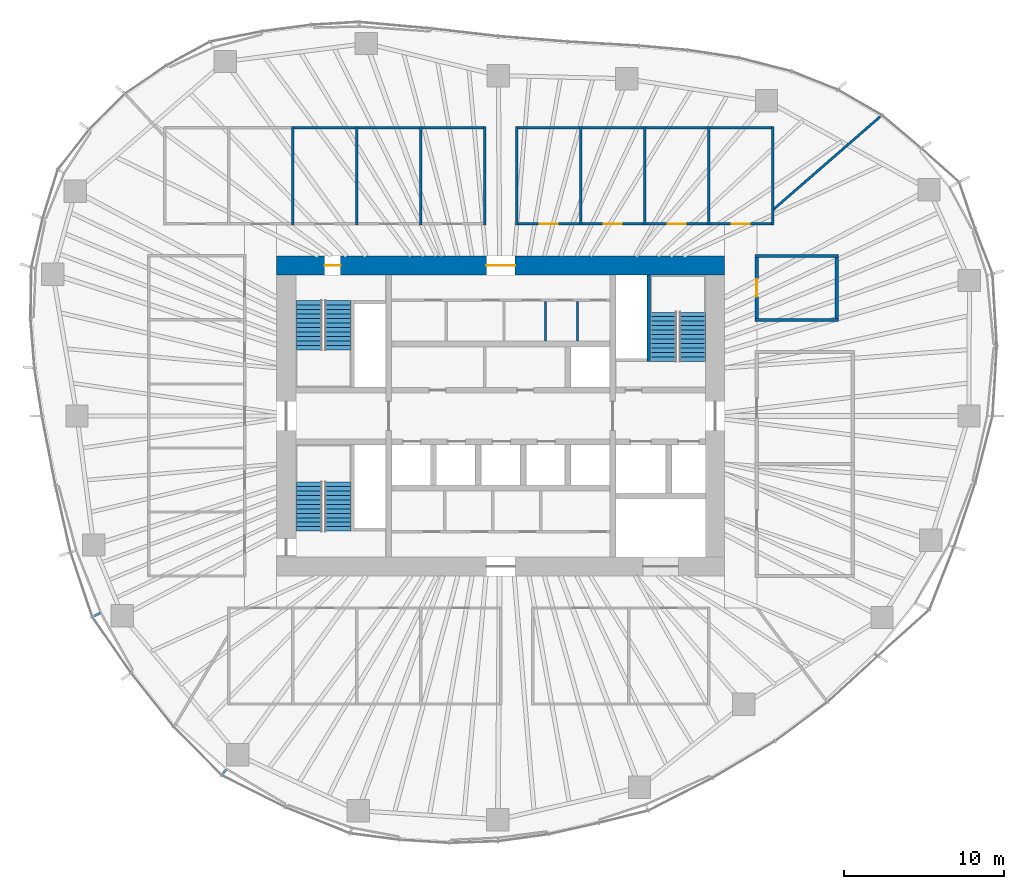
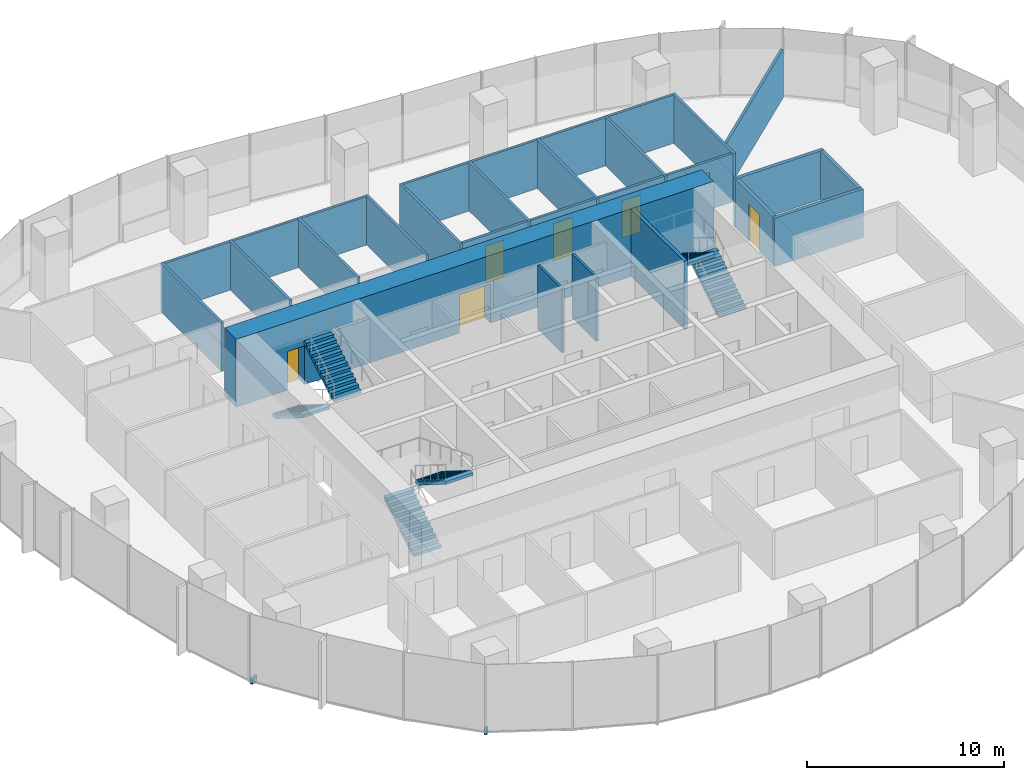
# One storey, part 11 of 18: 29 walls, 7 doors, 6 stair flights, 2 discrete accessories, 7 openings, 3 elements without a shape of their own.
"""IFC4 building model written with IfcOpenShell, lengths in metres."""

from ifc_helpers import new_model, si_unit, direction, frame, frame_2d, origin, origin_2d, place, context, subcontext, project, spatial, polyline, rectangle, outline, extrude, material, layer, layer_set, type_object, element, fill, aggregate, save


model = new_model("IFC4")

# Units and contexts
model_context = context("Model", 3, precision=1e-05, world=origin(), true_north=direction((0.0, 1.0)))
body_context = subcontext(model_context, "Body", "Model", "MODEL_VIEW")
ifc_project = project(units=[si_unit("LENGTHUNIT", "METRE"), si_unit("AREAUNIT", "SQUARE_METRE"), si_unit("VOLUMEUNIT", "CUBIC_METRE"), si_unit("PLANEANGLEUNIT", "RADIAN"), si_unit("MASSUNIT", "GRAM", prefix="KILO")], contexts=[model_context])

# Site, building, storey
site_placement = place(None, origin())
site = spatial("IfcSite", under=ifc_project, at=site_placement, CompositionType="ELEMENT")
building_placement = place(site_placement, origin())
building = spatial("IfcBuilding", under=site, at=building_placement, Name="Ghaith Harvest Tower", CompositionType="ELEMENT")
storey_placement = place(building_placement, frame((0.0, 0.0, 172.199951171875)))
storey = spatial("IfcBuildingStorey", under=building, at=storey_placement, Name="L37", CompositionType="ELEMENT", Elevation=172.199951171875)

# Walls
ifc_material_1 = material(Name="Twin-stud gypsum board, acoustic", Category="gypsum")
ifc_layer_1 = layer(ifc_material_1, 0.199951171875)
ifc_layer_set_1 = layer_set([ifc_layer_1], Name="ACOUSTIC PARTITION 200")
wall_type_1 = type_object("IfcWallType", Name="ACOUSTIC PARTITION 200", PredefinedType="PARTITIONING", material=ifc_layer_set_1)
for number, where, z_axis, x_axis, name in (
    (1, (15.89990234375, 6.0, 0.0), (0.0, 0.0, 1.0), (1.0, 0.0, 0.0), "Partition L37 row E7 cross wall 1"),
    (2, (15.89990234375, 10.0, 0.0), (0.0, 0.0, 1.0), (1.0, 0.0, 0.0), "Partition L37 row E7 cross wall 2"),
):
    element("IfcWall", number, at=place(storey_placement, frame(where, z_axis=z_axis, x_axis=x_axis)), inside=storey, type_object=wall_type_1, Name=name, PredefinedType="PARTITIONING", context=body_context, shape_type="SweptSolid", body=[
        extrude(rectangle(XDim=5.2001953125, YDim=0.199951171875, at=frame_2d((2.60009765625, 0.0))), origin(), (0.0, 0.0, 1.0), 3.0),
    ])

# Wall, opening, door
wall_1_placement = place(storey_placement, frame((16.0, 6.10009765625, 0.0), z_axis=(0.0, 0.0, 1.0), x_axis=(0.0, 1.0, 0.0)))
wall_1 = element("IfcWall", 3, at=wall_1_placement, inside=storey, type_object=wall_type_1, Name="Partition L37-23", PredefinedType="PARTITIONING", context=body_context, shape_type="SweptSolid", body=[
    extrude(rectangle(XDim=3.7998046875, YDim=0.199951171875, at=frame_2d((1.89990234375, 0.0))), origin(), (0.0, 0.0, 1.0), 3.0),
])
opening_1_placement = place(wall_1_placement, frame((1.35009765625, 0.0, 0.0)))
opening_1 = element("IfcOpeningElement", 4, at=opening_1_placement, cuts=wall_1, Name="Opening 37-050", PredefinedType="OPENING", context=body_context, shape_type="SweptSolid", body=[
    extrude(rectangle(XDim=1.10009765625, YDim=2.300048828125, at=frame_2d((0.550048828125, 1.14990234375))), frame((0.0, 0.10986328125, 0.0), z_axis=(0.0, -1.0, 0.0), x_axis=(1.0, 0.0, 0.0)), (0.0, 0.0, 1.0), 0.219970703125),
])
ifc_material_2 = material(Name="Timber-framed glazed door", Category="wood")
door_type_1 = type_object("IfcDoorType", Name="D12 GLAZED OFFICE 1100x2300", OperationType="SINGLE_SWING_LEFT", PredefinedType="DOOR", material=ifc_material_2)
door_1_placement = place(opening_1_placement, origin())
door_1 = element("IfcDoor", 5, at=door_1_placement, inside=storey, type_object=door_type_1, Name="Quiet room door", OperationType="SINGLE_SWING_LEFT", OverallHeight=2.300048828125, OverallWidth=1.10009765625, PredefinedType="DOOR", context=body_context, shape_type="SweptSolid", body=[
    extrude(rectangle(XDim=1.10009765625, YDim=2.300048828125, at=frame_2d((0.550048828125, 1.14990234375))), frame((0.0, 0.02490234375, 0.0), z_axis=(0.0, -1.0, 0.0), x_axis=(1.0, 0.0, 0.0)), (0.0, 0.0, 1.0), 0.050048828125),
])
fill(opening_1, door_1)

# Walls
wall_2_placement = place(storey_placement, frame((21.0, 6.10009765625, 0.0), z_axis=(0.0, 0.0, 1.0), x_axis=(0.0, 1.0, 0.0)))
element("IfcWall", 6, at=wall_2_placement, inside=storey, type_object=wall_type_1, Name="Partition L37-23", PredefinedType="PARTITIONING", context=body_context, shape_type="SweptSolid", body=[
    extrude(rectangle(XDim=3.7998046875, YDim=0.199951171875, at=frame_2d((1.89990234375, 0.0))), origin(), (0.0, 0.0, 1.0), 3.0),
])
ifc_material_3 = material(Name="Concrete blockwork, fair-faced", Category="masonry")
ifc_layer_2 = layer(ifc_material_3, 0.139892578125)
ifc_layer_set_2 = layer_set([ifc_layer_2], Name="CORE PARTITION 140")
wall_type_2 = type_object("IfcWallType", Name="CORE PARTITION 140", PredefinedType="PARTITIONING", material=ifc_layer_set_2)
for number, where, z_axis, x_axis, name in (
    (7, (2.800048828125, 4.699951171875, 0.0), (0.0, 0.0, 1.0), (0.0, 1.0, 0.0), "Core partition L37"),
    (8, (4.800048828125, 4.699951171875, 0.0), (0.0, 0.0, 1.0), (0.0, 1.0, 0.0), "Core partition L37"),
):
    element("IfcWall", number, at=place(storey_placement, frame(where, z_axis=z_axis, x_axis=x_axis)), inside=storey, type_object=wall_type_2, Name=name, PredefinedType="PARTITIONING", context=body_context, shape_type="SweptSolid", body=[
        extrude(rectangle(XDim=2.4599609375, YDim=0.139892578125, at=frame_2d((1.22998046875, 0.0))), origin(), (0.0, 0.0, 1.0), 3.949951171875),
    ])

# Wall, openings, doors
ifc_material_4 = material(Name="Concrete C60/75", Category="concrete")
ifc_layer_3 = layer(ifc_material_4, 1.199951171875)
ifc_layer_set_3 = layer_set([ifc_layer_3], Name="CORE WALL CW1200 C60")
wall_type_3 = type_object("IfcWallType", Name="CORE WALL CW1200 C60", PredefinedType="SHEAR", material=ifc_layer_set_3)
wall_3_placement = place(storey_placement, frame((14.0, 9.39990234375, 0.0), z_axis=(0.0, 0.0, 1.0), x_axis=(-1.0, 0.0, 0.0)))
wall_3 = element("IfcWall", 9, at=wall_3_placement, inside=storey, type_object=wall_type_3, Name="Core wall N L37", PredefinedType="SHEAR", context=body_context, shape_type="SweptSolid", body=[
    extrude(rectangle(XDim=28.0, YDim=1.199951171875, at=frame_2d((14.0, 0.0))), origin(), (0.0, 0.0, 1.0), 4.199951171875),
])
opening_2_placement = place(wall_3_placement, frame((24.0, 0.0, 0.0)))
opening_2 = element("IfcOpeningElement", 10, at=opening_2_placement, cuts=wall_3, Name="Opening 37-005", PredefinedType="OPENING", context=body_context, shape_type="SweptSolid", body=[
    extrude(rectangle(XDim=1.0, YDim=2.39990234375, at=frame_2d((0.5, 1.199951171875))), frame((0.0, 0.60986328125, 0.0), z_axis=(0.0, -1.0, 0.0), x_axis=(1.0, 0.0, 0.0)), (0.0, 0.0, 1.0), 1.219970703125),
])
opening_3_placement = place(wall_3_placement, frame((13.10009765625, 0.0, 0.0)))
opening_3 = element("IfcOpeningElement", 11, at=opening_3_placement, cuts=wall_3, Name="Opening 37-019", PredefinedType="OPENING", context=body_context, shape_type="SweptSolid", body=[
    extrude(rectangle(XDim=1.800048828125, YDim=2.39990234375, at=frame_2d((0.89990234375, 1.199951171875))), frame((0.0, 0.60986328125, 0.0), z_axis=(0.0, -1.0, 0.0), x_axis=(1.0, 0.0, 0.0)), (0.0, 0.0, 1.0), 1.219970703125),
])
ifc_material_5 = material(Name="Steel fire door", Category="steel")
door_type_2 = type_object("IfcDoorType", Name="D3 FD90 1000x2400", OperationType="SINGLE_SWING_LEFT", PredefinedType="DOOR", material=ifc_material_5)
door_2_placement = place(opening_2_placement, origin())
door_2 = element("IfcDoor", 12, at=door_2_placement, inside=storey, type_object=door_type_2, Name="Stair ST1 door", OperationType="SINGLE_SWING_RIGHT", OverallHeight=2.39990234375, OverallWidth=1.0, PredefinedType="DOOR", context=body_context, shape_type="SweptSolid", body=[
    extrude(rectangle(XDim=1.0, YDim=2.39990234375, at=frame_2d((0.5, 1.199951171875))), frame((0.0, 0.02490234375, 0.0), z_axis=(0.0, -1.0, 0.0), x_axis=(1.0, 0.0, 0.0)), (0.0, 0.0, 1.0), 0.050048828125),
])
fill(opening_2, door_2)
ifc_material_6 = material(Name="Steel fire door", Category="steel")
door_type_3 = type_object("IfcDoorType", Name="D4 FD90 PAIR 1800x2400", OperationType="DOUBLE_DOOR_SINGLE_SWING", PredefinedType="DOOR", material=ifc_material_6)
door_3_placement = place(opening_3_placement, origin())
door_3 = element("IfcDoor", 13, at=door_3_placement, inside=storey, type_object=door_type_3, Name="Core service corridor doors", OperationType="DOUBLE_DOOR_SINGLE_SWING", OverallHeight=2.39990234375, OverallWidth=1.800048828125, PredefinedType="DOOR", context=body_context, shape_type="SweptSolid", body=[
    extrude(rectangle(XDim=1.800048828125, YDim=2.39990234375, at=frame_2d((0.89990234375, 1.199951171875))), frame((0.0, 0.02490234375, 0.0), z_axis=(0.0, -1.0, 0.0), x_axis=(1.0, 0.0, 0.0)), (0.0, 0.0, 1.0), 0.050048828125),
])
fill(opening_3, door_3)

# Walls
ifc_material_7 = material(Name="Gypsum board on steel studs", Category="steel")
ifc_layer_4 = layer(ifc_material_7, 0.14990234375)
ifc_layer_set_4 = layer_set([ifc_layer_4], Name="PARTITION 150")
wall_type_4 = type_object("IfcWallType", Name="PARTITION 150", PredefinedType="PARTITIONING", material=ifc_layer_set_4)
for number, where, z_axis, x_axis, name in (
    (14, (-13.0, 11.925048828125, 0.0), (0.0, 0.0, 1.0), (0.0, 1.0, 0.0), "Partition L37 row N1 cross wall 3"),
    (15, (-9.0, 11.925048828125, 0.0), (0.0, 0.0, 1.0), (0.0, 1.0, 0.0), "Partition L37 row N1 cross wall 4"),
    (16, (-5.0, 11.925048828125, 0.0), (0.0, 0.0, 1.0), (0.0, 1.0, 0.0), "Partition L37 row N1 cross wall 5"),
    (17, (-1.0, 11.925048828125, 0.0), (0.0, 0.0, 1.0), (0.0, 1.0, 0.0), "Partition L37 row N1 cross wall 6"),
):
    element("IfcWall", number, at=place(storey_placement, frame(where, z_axis=z_axis, x_axis=x_axis)), inside=storey, type_object=wall_type_4, Name=name, PredefinedType="PARTITIONING", context=body_context, shape_type="SweptSolid", body=[
        extrude(rectangle(XDim=6.14990234375, YDim=0.14990234375, at=frame_2d((3.074951171875, 0.0))), origin(), (0.0, 0.0, 1.0), 3.0),
    ])
for number, where, z_axis, x_axis, name in (
    (18, (-12.925048828125, 18.0, 0.0), (0.0, 0.0, 1.0), (1.0, 0.0, 0.0), "Partition L37-03"),
    (19, (-8.925048828125, 18.0, 0.0), (0.0, 0.0, 1.0), (1.0, 0.0, 0.0), "Partition L37-04"),
    (20, (-4.925048828125, 18.0, 0.0), (0.0, 0.0, 1.0), (1.0, 0.0, 0.0), "Partition L37-05"),
):
    element("IfcWall", number, at=place(storey_placement, frame(where, z_axis=z_axis, x_axis=x_axis)), inside=storey, type_object=wall_type_4, Name=name, PredefinedType="PARTITIONING", context=body_context, shape_type="SweptSolid", body=[
        extrude(rectangle(XDim=3.85009765625, YDim=0.14990234375, at=frame_2d((1.925048828125, 0.0))), origin(), (0.0, 0.0, 1.0), 3.0),
    ])
for number, where, z_axis, x_axis, name in (
    (21, (1.0, 11.925048828125, 0.0), (0.0, 0.0, 1.0), (0.0, 1.0, 0.0), "Partition L37 row N2 cross wall 1"),
    (22, (5.0, 11.925048828125, 0.0), (0.0, 0.0, 1.0), (0.0, 1.0, 0.0), "Partition L37 row N2 cross wall 2"),
    (23, (9.0, 11.925048828125, 0.0), (0.0, 0.0, 1.0), (0.0, 1.0, 0.0), "Partition L37 row N2 cross wall 3"),
    (24, (13.0, 11.925048828125, 0.0), (0.0, 0.0, 1.0), (0.0, 1.0, 0.0), "Partition L37 row N2 cross wall 4"),
    (25, (17.0, 11.925048828125, 0.0), (0.0, 0.0, 1.0), (0.0, 1.0, 0.0), "Partition L37 row N2 cross wall 5"),
):
    element("IfcWall", number, at=place(storey_placement, frame(where, z_axis=z_axis, x_axis=x_axis)), inside=storey, type_object=wall_type_4, Name=name, PredefinedType="PARTITIONING", context=body_context, shape_type="SweptSolid", body=[
        extrude(rectangle(XDim=6.14990234375, YDim=0.14990234375, at=frame_2d((3.074951171875, 0.0))), origin(), (0.0, 0.0, 1.0), 3.0),
    ])

# Wall, opening, door
wall_4_placement = place(storey_placement, frame((1.074951171875, 12.0, 0.0), z_axis=(0.0, 0.0, 1.0), x_axis=(1.0, 0.0, 0.0)))
wall_4 = element("IfcWall", 26, at=wall_4_placement, inside=storey, type_object=wall_type_4, Name="Partition L37-06", PredefinedType="PARTITIONING", context=body_context, shape_type="SweptSolid", body=[
    extrude(rectangle(XDim=3.85009765625, YDim=0.14990234375, at=frame_2d((1.925048828125, 0.0))), origin(), (0.0, 0.0, 1.0), 3.0),
])
opening_4_placement = place(wall_4_placement, frame((1.375, 0.0, 0.0)))
opening_4 = element("IfcOpeningElement", 27, at=opening_4_placement, cuts=wall_4, Name="Opening 37-033", PredefinedType="OPENING", context=body_context, shape_type="SweptSolid", body=[
    extrude(rectangle(XDim=1.10009765625, YDim=2.300048828125, at=frame_2d((0.550048828125, 1.14990234375))), frame((0.0, 0.0849609375, 0.0), z_axis=(0.0, -1.0, 0.0), x_axis=(1.0, 0.0, 0.0)), (0.0, 0.0, 1.0), 0.169921875),
])
door_4_placement = place(opening_4_placement, origin())
door_4 = element("IfcDoor", 28, at=door_4_placement, inside=storey, type_object=door_type_1, Name="Office door", OperationType="SINGLE_SWING_LEFT", OverallHeight=2.300048828125, OverallWidth=1.10009765625, PredefinedType="DOOR", context=body_context, shape_type="SweptSolid", body=[
    extrude(rectangle(XDim=1.10009765625, YDim=2.300048828125, at=frame_2d((0.550048828125, 1.14990234375))), frame((0.0, 0.02490234375, 0.0), z_axis=(0.0, -1.0, 0.0), x_axis=(1.0, 0.0, 0.0)), (0.0, 0.0, 1.0), 0.050048828125),
])
fill(opening_4, door_4)

# Wall
wall_5_placement = place(storey_placement, frame((1.074951171875, 18.0, 0.0), z_axis=(0.0, 0.0, 1.0), x_axis=(1.0, 0.0, 0.0)))
element("IfcWall", 29, at=wall_5_placement, inside=storey, type_object=wall_type_4, Name="Partition L37-06", PredefinedType="PARTITIONING", context=body_context, shape_type="SweptSolid", body=[
    extrude(rectangle(XDim=3.85009765625, YDim=0.14990234375, at=frame_2d((1.925048828125, 0.0))), origin(), (0.0, 0.0, 1.0), 3.0),
])

# Wall, opening, door
wall_6_placement = place(storey_placement, frame((5.074951171875, 12.0, 0.0), z_axis=(0.0, 0.0, 1.0), x_axis=(1.0, 0.0, 0.0)))
wall_6 = element("IfcWall", 30, at=wall_6_placement, inside=storey, type_object=wall_type_4, Name="Partition L37-07", PredefinedType="PARTITIONING", context=body_context, shape_type="SweptSolid", body=[
    extrude(rectangle(XDim=3.85009765625, YDim=0.14990234375, at=frame_2d((1.925048828125, 0.0))), origin(), (0.0, 0.0, 1.0), 3.0),
])
opening_5_placement = place(wall_6_placement, frame((1.375, 0.0, 0.0)))
opening_5 = element("IfcOpeningElement", 31, at=opening_5_placement, cuts=wall_6, Name="Opening 37-034", PredefinedType="OPENING", context=body_context, shape_type="SweptSolid", body=[
    extrude(rectangle(XDim=1.10009765625, YDim=2.300048828125, at=frame_2d((0.550048828125, 1.14990234375))), frame((0.0, 0.0849609375, 0.0), z_axis=(0.0, -1.0, 0.0), x_axis=(1.0, 0.0, 0.0)), (0.0, 0.0, 1.0), 0.169921875),
])
door_5_placement = place(opening_5_placement, origin())
door_5 = element("IfcDoor", 32, at=door_5_placement, inside=storey, type_object=door_type_1, Name="Office door", OperationType="SINGLE_SWING_LEFT", OverallHeight=2.300048828125, OverallWidth=1.10009765625, PredefinedType="DOOR", context=body_context, shape_type="SweptSolid", body=[
    extrude(rectangle(XDim=1.10009765625, YDim=2.300048828125, at=frame_2d((0.550048828125, 1.14990234375))), frame((0.0, 0.02490234375, 0.0), z_axis=(0.0, -1.0, 0.0), x_axis=(1.0, 0.0, 0.0)), (0.0, 0.0, 1.0), 0.050048828125),
])
fill(opening_5, door_5)

# Wall
wall_7_placement = place(storey_placement, frame((5.074951171875, 18.0, 0.0), z_axis=(0.0, 0.0, 1.0), x_axis=(1.0, 0.0, 0.0)))
element("IfcWall", 33, at=wall_7_placement, inside=storey, type_object=wall_type_4, Name="Partition L37-07", PredefinedType="PARTITIONING", context=body_context, shape_type="SweptSolid", body=[
    extrude(rectangle(XDim=3.85009765625, YDim=0.14990234375, at=frame_2d((1.925048828125, 0.0))), origin(), (0.0, 0.0, 1.0), 3.0),
])

# Wall, opening, door
wall_8_placement = place(storey_placement, frame((9.074951171875, 12.0, 0.0), z_axis=(0.0, 0.0, 1.0), x_axis=(1.0, 0.0, 0.0)))
wall_8 = element("IfcWall", 34, at=wall_8_placement, inside=storey, type_object=wall_type_4, Name="Partition L37-08", PredefinedType="PARTITIONING", context=body_context, shape_type="SweptSolid", body=[
    extrude(rectangle(XDim=3.85009765625, YDim=0.14990234375, at=frame_2d((1.925048828125, 0.0))), origin(), (0.0, 0.0, 1.0), 3.0),
])
opening_6_placement = place(wall_8_placement, frame((1.375, 0.0, 0.0)))
opening_6 = element("IfcOpeningElement", 35, at=opening_6_placement, cuts=wall_8, Name="Opening 37-035", PredefinedType="OPENING", context=body_context, shape_type="SweptSolid", body=[
    extrude(rectangle(XDim=1.10009765625, YDim=2.300048828125, at=frame_2d((0.550048828125, 1.14990234375))), frame((0.0, 0.0849609375, 0.0), z_axis=(0.0, -1.0, 0.0), x_axis=(1.0, 0.0, 0.0)), (0.0, 0.0, 1.0), 0.169921875),
])
door_6_placement = place(opening_6_placement, origin())
door_6 = element("IfcDoor", 36, at=door_6_placement, inside=storey, type_object=door_type_1, Name="Office door", OperationType="SINGLE_SWING_LEFT", OverallHeight=2.300048828125, OverallWidth=1.10009765625, PredefinedType="DOOR", context=body_context, shape_type="SweptSolid", body=[
    extrude(rectangle(XDim=1.10009765625, YDim=2.300048828125, at=frame_2d((0.550048828125, 1.14990234375))), frame((0.0, 0.02490234375, 0.0), z_axis=(0.0, -1.0, 0.0), x_axis=(1.0, 0.0, 0.0)), (0.0, 0.0, 1.0), 0.050048828125),
])
fill(opening_6, door_6)

# Wall
wall_9_placement = place(storey_placement, frame((9.074951171875, 18.0, 0.0), z_axis=(0.0, 0.0, 1.0), x_axis=(1.0, 0.0, 0.0)))
element("IfcWall", 37, at=wall_9_placement, inside=storey, type_object=wall_type_4, Name="Partition L37-08", PredefinedType="PARTITIONING", context=body_context, shape_type="SweptSolid", body=[
    extrude(rectangle(XDim=3.85009765625, YDim=0.14990234375, at=frame_2d((1.925048828125, 0.0))), origin(), (0.0, 0.0, 1.0), 3.0),
])

# Wall, opening, door
wall_10_placement = place(storey_placement, frame((13.074951171875, 12.0, 0.0), z_axis=(0.0, 0.0, 1.0), x_axis=(1.0, 0.0, 0.0)))
wall_10 = element("IfcWall", 38, at=wall_10_placement, inside=storey, type_object=wall_type_4, Name="Partition L37-09", PredefinedType="PARTITIONING", context=body_context, shape_type="SweptSolid", body=[
    extrude(rectangle(XDim=3.85009765625, YDim=0.14990234375, at=frame_2d((1.925048828125, 0.0))), origin(), (0.0, 0.0, 1.0), 3.0),
])
opening_7_placement = place(wall_10_placement, frame((1.375, 0.0, 0.0)))
opening_7 = element("IfcOpeningElement", 39, at=opening_7_placement, cuts=wall_10, Name="Opening 37-036", PredefinedType="OPENING", context=body_context, shape_type="SweptSolid", body=[
    extrude(rectangle(XDim=1.10009765625, YDim=2.300048828125, at=frame_2d((0.550048828125, 1.14990234375))), frame((0.0, 0.0849609375, 0.0), z_axis=(0.0, -1.0, 0.0), x_axis=(1.0, 0.0, 0.0)), (0.0, 0.0, 1.0), 0.169921875),
])
door_7_placement = place(opening_7_placement, origin())
door_7 = element("IfcDoor", 40, at=door_7_placement, inside=storey, type_object=door_type_1, Name="Office door", OperationType="SINGLE_SWING_LEFT", OverallHeight=2.300048828125, OverallWidth=1.10009765625, PredefinedType="DOOR", context=body_context, shape_type="SweptSolid", body=[
    extrude(rectangle(XDim=1.10009765625, YDim=2.300048828125, at=frame_2d((0.550048828125, 1.14990234375))), frame((0.0, 0.02490234375, 0.0), z_axis=(0.0, -1.0, 0.0), x_axis=(1.0, 0.0, 0.0)), (0.0, 0.0, 1.0), 0.050048828125),
])
fill(opening_7, door_7)

# Walls
wall_11_placement = place(storey_placement, frame((13.074951171875, 18.0, 0.0), z_axis=(0.0, 0.0, 1.0), x_axis=(1.0, 0.0, 0.0)))
element("IfcWall", 41, at=wall_11_placement, inside=storey, type_object=wall_type_4, Name="Partition L37-09", PredefinedType="PARTITIONING", context=body_context, shape_type="SweptSolid", body=[
    extrude(rectangle(XDim=3.85009765625, YDim=0.14990234375, at=frame_2d((1.925048828125, 0.0))), origin(), (0.0, 0.0, 1.0), 3.0),
])
wall_12_placement = place(storey_placement, frame((17.02001953125, 12.88671875, 0.0), z_axis=(0.0, 0.0, 1.0), x_axis=(0.75468613342, 0.656086000479, 0.0)))
element("IfcWall", 42, at=wall_12_placement, inside=storey, type_object=wall_type_4, Name="Partition L37 zone division", PredefinedType="PARTITIONING", context=body_context, shape_type="SweptSolid", body=[
    extrude(rectangle(XDim=8.86669921875, YDim=0.14990234375, at=frame_2d((4.433349609375, 0.0))), origin(), (0.0, 0.0, 1.0), 3.0),
])
ifc_material_8 = material(Name="Concrete C40/50", Category="concrete")
ifc_layer_5 = layer(ifc_material_8, 0.199951171875)
ifc_layer_set_5 = layer_set([ifc_layer_5], Name="STAIR SPINE WALL RC200")
wall_type_5 = type_object("IfcWallType", Name="STAIR SPINE WALL RC200", PredefinedType="SOLIDWALL", material=ifc_layer_set_5)
wall_13_placement = place(storey_placement, frame((9.25, 3.39990234375, 0.0), z_axis=(0.0, 0.0, 1.0), x_axis=(0.0, 1.0, 0.0)))
element("IfcWall", 43, at=wall_13_placement, inside=storey, type_object=wall_type_5, Name="Stair ST2 spine wall L37", PredefinedType="SOLIDWALL", context=body_context, shape_type="SweptSolid", body=[
    extrude(rectangle(XDim=5.400146484375, YDim=0.199951171875, at=frame_2d((2.7001953125, 0.0))), origin(), (0.0, 0.0, 1.0), 4.199951171875),
])

# Stair, stair flights
ifc_material_9 = material(Name="Concrete C40/50, precast", Category="concrete")
stair_type = type_object("IfcStairType", Name="CORE STAIR 24R", PredefinedType="HALF_TURN_STAIR", material=ifc_material_9)
stair_1_placement = place(storey_placement, origin())
stair_1 = element("IfcStair", 44, at=stair_1_placement, inside=storey, type_object=stair_type, Name="Stair ST1 L37", PredefinedType="HALF_TURN_STAIR")
ifc_material_10 = material(Name="Concrete C40/50, precast", Category="concrete")
stair_flight_type = type_object("IfcStairFlightType", Name="CORE FLIGHT 12R 1600", PredefinedType="STRAIGHT", material=ifc_material_10)
stair_flight_1_placement = place(storey_placement, frame((-12.0, 7.199951171875, 0.0), z_axis=(0.0, 0.0, 1.0), x_axis=(0.0, -1.0, 0.0)))
stair_flight_1 = element("IfcStairFlight", 45, at=stair_flight_1_placement, type_object=stair_flight_type, Name="ST1 flight 1", NumberOfRisers=12, NumberOfTreads=11, PredefinedType="STRAIGHT", RiserHeight=0.175, TreadLength=0.28, context=body_context, shape_type="SweptSolid", body=[
    extrude(outline(polyline([(0.0, 0.0), (0.0, 0.175048828125), (0.280029296875, 0.175048828125), (0.280029296875, 0.35009765625), (0.56005859375, 0.35009765625), (0.56005859375, 0.52490234375), (0.840087890625, 0.52490234375), (0.840087890625, 0.699951171875), (1.1201171875, 0.699951171875), (1.1201171875, 0.875), (1.39990234375, 0.875), (1.39990234375, 1.050048828125), (1.679931640625, 1.050048828125), (1.679931640625, 1.22509765625), (1.9599609375, 1.22509765625), (1.9599609375, 1.39990234375), (2.239990234375, 1.39990234375), (2.239990234375, 1.574951171875), (2.52001953125, 1.574951171875), (2.52001953125, 1.75), (2.800048828125, 1.75), (2.800048828125, 1.925048828125), (3.080078125, 1.925048828125), (3.080078125, 2.10009765625), (3.080078125, 1.748291015625), (0.28271484375, 0.0), (0.0, 0.0)])), frame((0.0, 0.800048828125, 0.0), z_axis=(0.0, -1.0, 0.0), x_axis=(1.0, 0.0, 0.0)), (0.0, 0.0, 1.0), 1.60009765625),
])
stair_flight_2_placement = place(storey_placement, frame((-10.14990234375, 4.1201171875, 2.10009765625), z_axis=(0.0, 0.0, 1.0), x_axis=(0.0, 1.0, 0.0)))
stair_flight_2 = element("IfcStairFlight", 46, at=stair_flight_2_placement, type_object=stair_flight_type, Name="ST1 flight 2", NumberOfRisers=12, NumberOfTreads=11, PredefinedType="STRAIGHT", RiserHeight=0.175, TreadLength=0.28, context=body_context, shape_type="SweptSolid", body=[
    extrude(outline(polyline([(0.0, 0.0), (0.0, 0.175048828125), (0.280029296875, 0.175048828125), (0.280029296875, 0.35009765625), (0.56005859375, 0.35009765625), (0.56005859375, 0.52490234375), (0.840087890625, 0.52490234375), (0.840087890625, 0.699951171875), (1.1201171875, 0.699951171875), (1.1201171875, 0.875), (1.39990234375, 0.875), (1.39990234375, 1.050048828125), (1.679931640625, 1.050048828125), (1.679931640625, 1.22509765625), (1.9599609375, 1.22509765625), (1.9599609375, 1.39990234375), (2.239990234375, 1.39990234375), (2.239990234375, 1.574951171875), (2.52001953125, 1.574951171875), (2.52001953125, 1.75), (2.800048828125, 1.75), (2.800048828125, 1.925048828125), (3.080078125, 1.925048828125), (3.080078125, 2.10009765625), (3.080078125, 1.748291015625), (0.28271484375, 0.0), (0.0, 0.0)])), frame((0.0, 0.800048828125, 0.0), z_axis=(0.0, -1.0, 0.0), x_axis=(1.0, 0.0, 0.0)), (0.0, 0.0, 1.0), 1.60009765625),
])
aggregate(stair_1, [stair_flight_1, stair_flight_2])

stair_2_placement = place(storey_placement, origin())
stair_2 = element("IfcStair", 47, at=stair_2_placement, inside=storey, type_object=stair_type, Name="Stair ST3 L37", PredefinedType="HALF_TURN_STAIR")
stair_flight_3_placement = place(storey_placement, frame((-12.0, -7.199951171875, 0.0), z_axis=(0.0, 0.0, 1.0), x_axis=(0.0, 1.0, 0.0)))
stair_flight_3 = element("IfcStairFlight", 48, at=stair_flight_3_placement, type_object=stair_flight_type, Name="ST3 flight 1", NumberOfRisers=12, NumberOfTreads=11, PredefinedType="STRAIGHT", RiserHeight=0.175, TreadLength=0.28, context=body_context, shape_type="SweptSolid", body=[
    extrude(outline(polyline([(0.0, 0.0), (0.0, 0.175048828125), (0.280029296875, 0.175048828125), (0.280029296875, 0.35009765625), (0.56005859375, 0.35009765625), (0.56005859375, 0.52490234375), (0.840087890625, 0.52490234375), (0.840087890625, 0.699951171875), (1.1201171875, 0.699951171875), (1.1201171875, 0.875), (1.39990234375, 0.875), (1.39990234375, 1.050048828125), (1.679931640625, 1.050048828125), (1.679931640625, 1.22509765625), (1.9599609375, 1.22509765625), (1.9599609375, 1.39990234375), (2.239990234375, 1.39990234375), (2.239990234375, 1.574951171875), (2.52001953125, 1.574951171875), (2.52001953125, 1.75), (2.800048828125, 1.75), (2.800048828125, 1.925048828125), (3.080078125, 1.925048828125), (3.080078125, 2.10009765625), (3.080078125, 1.748291015625), (0.28271484375, 0.0), (0.0, 0.0)])), frame((0.0, 0.800048828125, 0.0), z_axis=(0.0, -1.0, 0.0), x_axis=(1.0, 0.0, 0.0)), (0.0, 0.0, 1.0), 1.60009765625),
])
stair_flight_4_placement = place(storey_placement, frame((-10.14990234375, -4.1201171875, 2.10009765625), z_axis=(0.0, 0.0, 1.0), x_axis=(0.0, -1.0, 0.0)))
stair_flight_4 = element("IfcStairFlight", 49, at=stair_flight_4_placement, type_object=stair_flight_type, Name="ST3 flight 2", NumberOfRisers=12, NumberOfTreads=11, PredefinedType="STRAIGHT", RiserHeight=0.175, TreadLength=0.28, context=body_context, shape_type="SweptSolid", body=[
    extrude(outline(polyline([(0.0, 0.0), (0.0, 0.175048828125), (0.280029296875, 0.175048828125), (0.280029296875, 0.35009765625), (0.56005859375, 0.35009765625), (0.56005859375, 0.52490234375), (0.840087890625, 0.52490234375), (0.840087890625, 0.699951171875), (1.1201171875, 0.699951171875), (1.1201171875, 0.875), (1.39990234375, 0.875), (1.39990234375, 1.050048828125), (1.679931640625, 1.050048828125), (1.679931640625, 1.22509765625), (1.9599609375, 1.22509765625), (1.9599609375, 1.39990234375), (2.239990234375, 1.39990234375), (2.239990234375, 1.574951171875), (2.52001953125, 1.574951171875), (2.52001953125, 1.75), (2.800048828125, 1.75), (2.800048828125, 1.925048828125), (3.080078125, 1.925048828125), (3.080078125, 2.10009765625), (3.080078125, 1.748291015625), (0.28271484375, 0.0), (0.0, 0.0)])), frame((0.0, 0.800048828125, 0.0), z_axis=(0.0, -1.0, 0.0), x_axis=(1.0, 0.0, 0.0)), (0.0, 0.0, 1.0), 1.60009765625),
])
aggregate(stair_2, [stair_flight_3, stair_flight_4])

stair_3_placement = place(storey_placement, origin())
stair_3 = element("IfcStair", 50, at=stair_3_placement, inside=storey, type_object=stair_type, Name="Stair ST2 L37", PredefinedType="HALF_TURN_STAIR")
stair_flight_5_placement = place(storey_placement, frame((12.0, 3.39990234375, 0.0), z_axis=(0.0, 0.0, 1.0), x_axis=(0.0, 1.0, 0.0)))
stair_flight_5 = element("IfcStairFlight", 51, at=stair_flight_5_placement, type_object=stair_flight_type, Name="ST2 flight 1", NumberOfRisers=12, NumberOfTreads=11, PredefinedType="STRAIGHT", RiserHeight=0.175, TreadLength=0.28, context=body_context, shape_type="SweptSolid", body=[
    extrude(outline(polyline([(0.0, 0.0), (0.0, 0.175048828125), (0.280029296875, 0.175048828125), (0.280029296875, 0.35009765625), (0.56005859375, 0.35009765625), (0.56005859375, 0.52490234375), (0.840087890625, 0.52490234375), (0.840087890625, 0.699951171875), (1.1201171875, 0.699951171875), (1.1201171875, 0.875), (1.39990234375, 0.875), (1.39990234375, 1.050048828125), (1.679931640625, 1.050048828125), (1.679931640625, 1.22509765625), (1.9599609375, 1.22509765625), (1.9599609375, 1.39990234375), (2.239990234375, 1.39990234375), (2.239990234375, 1.574951171875), (2.52001953125, 1.574951171875), (2.52001953125, 1.75), (2.800048828125, 1.75), (2.800048828125, 1.925048828125), (3.080078125, 1.925048828125), (3.080078125, 2.10009765625), (3.080078125, 1.748291015625), (0.28271484375, 0.0), (0.0, 0.0)])), frame((0.0, 0.800048828125, 0.0), z_axis=(0.0, -1.0, 0.0), x_axis=(1.0, 0.0, 0.0)), (0.0, 0.0, 1.0), 1.60009765625),
])
stair_flight_6_placement = place(storey_placement, frame((10.14990234375, 6.47998046875, 2.10009765625), z_axis=(0.0, 0.0, 1.0), x_axis=(0.0, -1.0, 0.0)))
stair_flight_6 = element("IfcStairFlight", 52, at=stair_flight_6_placement, type_object=stair_flight_type, Name="ST2 flight 2", NumberOfRisers=12, NumberOfTreads=11, PredefinedType="STRAIGHT", RiserHeight=0.175, TreadLength=0.28, context=body_context, shape_type="SweptSolid", body=[
    extrude(outline(polyline([(0.0, 0.0), (0.0, 0.175048828125), (0.280029296875, 0.175048828125), (0.280029296875, 0.35009765625), (0.56005859375, 0.35009765625), (0.56005859375, 0.52490234375), (0.840087890625, 0.52490234375), (0.840087890625, 0.699951171875), (1.1201171875, 0.699951171875), (1.1201171875, 0.875), (1.39990234375, 0.875), (1.39990234375, 1.050048828125), (1.679931640625, 1.050048828125), (1.679931640625, 1.22509765625), (1.9599609375, 1.22509765625), (1.9599609375, 1.39990234375), (2.239990234375, 1.39990234375), (2.239990234375, 1.574951171875), (2.52001953125, 1.574951171875), (2.52001953125, 1.75), (2.800048828125, 1.75), (2.800048828125, 1.925048828125), (3.080078125, 1.925048828125), (3.080078125, 2.10009765625), (3.080078125, 1.748291015625), (0.28271484375, 0.0), (0.0, 0.0)])), frame((0.0, 0.800048828125, 0.0), z_axis=(0.0, -1.0, 0.0), x_axis=(1.0, 0.0, 0.0)), (0.0, 0.0, 1.0), 1.60009765625),
])
aggregate(stair_3, [stair_flight_5, stair_flight_6])

# Discrete accessories
ifc_material_11 = material(Name="Stainless steel grade 1.4401", Category="steel")
discrete_accessory_type_1 = type_object("IfcDiscreteAccessoryType", Name="CURTAIN WALL BRACKET 315", PredefinedType="BRACKET", material=ifc_material_11)
discrete_accessory_1_placement = place(storey_placement, frame((-17.266357421875, -22.232421875, -0.25), z_axis=(0.0, 0.0, 1.0), x_axis=(-0.613377713774, -0.789789706343, 0.0)))
element("IfcDiscreteAccessory", 53, at=discrete_accessory_1_placement, inside=storey, type_object=discrete_accessory_type_1, Name="CW-L bracket 1 bay 14 L37", PredefinedType="BRACKET", context=body_context, shape_type="SweptSolid", body=[
    extrude(rectangle(XDim=0.31494140625, YDim=0.14990234375, at=origin_2d()), origin(), (0.0, 0.0, 1.0), 0.35009765625),
])
ifc_material_12 = material(Name="Stainless steel grade 1.4401", Category="steel")
discrete_accessory_type_2 = type_object("IfcDiscreteAccessoryType", Name="CURTAIN WALL BRACKET 415", PredefinedType="BRACKET", material=ifc_material_12)
discrete_accessory_2_placement = place(storey_placement, frame((-25.228515625, -12.41796875, -0.25), z_axis=(0.0, 0.0, 1.0), x_axis=(-0.897201221415, -0.441621974421, 0.0)))
element("IfcDiscreteAccessory", 54, at=discrete_accessory_2_placement, inside=storey, type_object=discrete_accessory_type_2, Name="CW-L bracket 2 bay 12 L37", PredefinedType="BRACKET", context=body_context, shape_type="SweptSolid", body=[
    extrude(rectangle(XDim=0.4150390625, YDim=0.14990234375, at=origin_2d()), origin(), (0.0, 0.0, 1.0), 0.35009765625),
])

save(model, "model.ifc")
